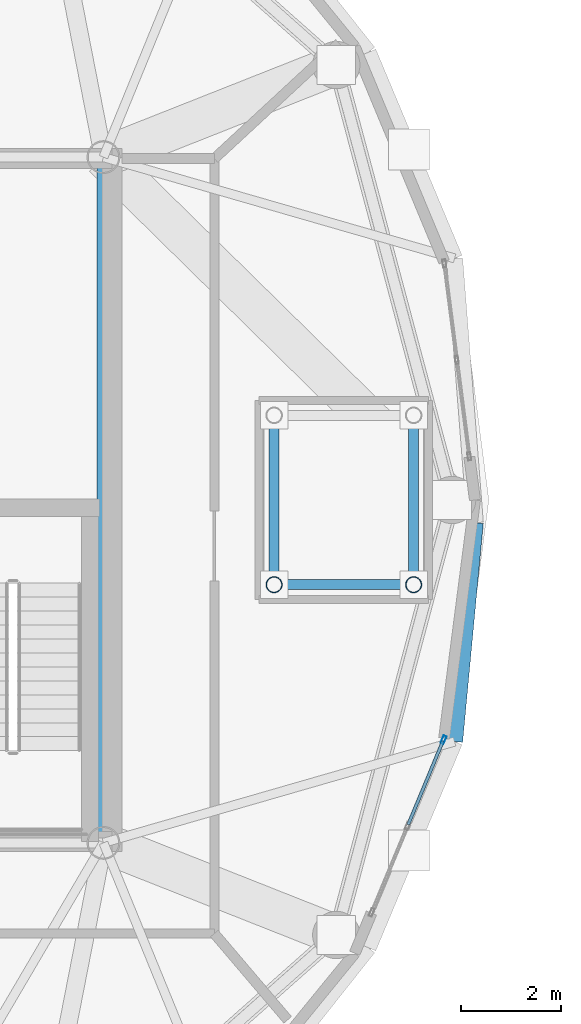
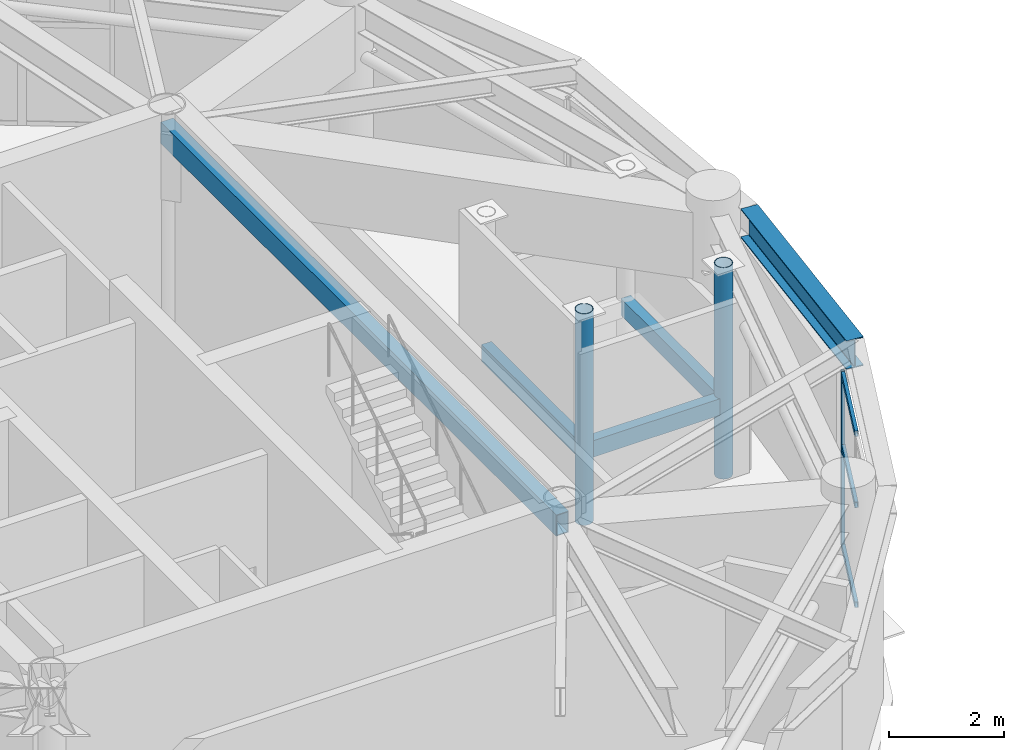
# One storey, part 6 of 28: 6 members, 5 beams, 1 element without a shape of its own.
"""IFC4 building model written with IfcOpenShell, lengths in metres."""

from ifc_helpers import new_model, si_unit, direction, frame, origin, origin_2d, place, context, subcontext, project, spatial, hollow_rectangle, hollow_circle, i_section, extrude, material, layer, layer_set, material_profile, profile_set, type_object, element, aggregate, save


model = new_model("IFC4")

# Units and contexts
model_context = context("Model", 3, precision=1e-05, world=origin(), true_north=direction((0.0, 1.0)))
body_context = subcontext(model_context, "Body", "Model", "MODEL_VIEW")
ifc_project = project(units=[si_unit("LENGTHUNIT", "METRE"), si_unit("AREAUNIT", "SQUARE_METRE"), si_unit("VOLUMEUNIT", "CUBIC_METRE"), si_unit("PLANEANGLEUNIT", "RADIAN"), si_unit("MASSUNIT", "GRAM", prefix="KILO")], contexts=[model_context])

# Site, building, storey
site_placement = place(None, origin())
site = spatial("IfcSite", under=ifc_project, at=site_placement, CompositionType="ELEMENT")
building_placement = place(site_placement, origin())
building = spatial("IfcBuilding", under=site, at=building_placement, Name="Cununo Teusaquillo Station Towers", CompositionType="ELEMENT")
storey_placement = place(building_placement, frame((0.0, 0.0, 235.64990234375)))
storey = spatial("IfcBuildingStorey", under=building, at=storey_placement, Name="L75", CompositionType="ELEMENT", Elevation=235.64990234375)

# Beams
ifc_material_1 = material(Name="Steel EN 10025-2 S355J2", Category="steel")
ifc_material_profile_1 = material_profile(ifc_material_1, hollow_rectangle(XDim=0.25, YDim=0.449951171875, WallThickness=0.01611328125, at=origin_2d()), Name="RHS 450x250x16")
ifc_profile_set_1 = profile_set([ifc_material_profile_1], Name="Steel EN 10025-2 S355J2")
beam_type_1 = type_object("IfcBeamType", Name="BM-COUP-1", PredefinedType="USERDEFINED", material=ifc_profile_set_1)
beam_1_placement = place(storey_placement, frame((21.675048828125, 17.6201171875, 4.114990234375), z_axis=(0.0, 1.0, 0.0), x_axis=(-1.0, 0.0, 0.0)))
element("IfcBeam", 1, at=beam_1_placement, inside=storey, type_object=beam_type_1, Name="L75 Tower A Core Beam 2", ObjectType="COUPLING BEAM", PredefinedType="USERDEFINED", context=body_context, shape_type="SweptSolid", body=[
    extrude(hollow_rectangle(XDim=0.25, YDim=0.449951171875, WallThickness=0.01611328125, at=origin_2d()), origin(), (0.0, 0.0, 1.0), 13.759765625),
])
ifc_material_2 = material(Name="Steel ASTM A572 Grade 50", Category="steel")
ifc_material_profile_2 = material_profile(ifc_material_2, i_section(OverallWidth=0.324951171875, OverallDepth=0.615966796875, WebThickness=0.013916015625, FlangeThickness=0.021484375, FilletRadius=0.01611328125, at=origin_2d()), Name="W24X117")
ifc_profile_set_2 = profile_set([ifc_material_profile_2], Name="Steel ASTM A572 Grade 50")
beam_type_2 = type_object("IfcBeamType", Name="BM-PLNT-G2", PredefinedType="BEAM", material=ifc_profile_set_2)
beam_2_placement = place(storey_placement, frame((28.72119140625, 19.651611328125, 4.031982421875), z_axis=(0.093902932611, 0.995581357422, 0.0), x_axis=(-0.995581357422, 0.093902932611, 0.0)))
element("IfcBeam", 2, at=beam_2_placement, inside=storey, type_object=beam_type_2, Name="L75 Tower A Spandrel Ring Beam 20", PredefinedType="BEAM", context=body_context, shape_type="SweptSolid", body=[
    extrude(i_section(OverallWidth=0.324951171875, OverallDepth=0.615966796875, WebThickness=0.013916015625, FlangeThickness=0.021484375, FilletRadius=0.01611328125, at=origin_2d()), origin(), (0.0, 0.0, 1.0), 4.412109375),
])
ifc_material_3 = material(Name="Steel EN 10025-2 S355J2", Category="steel")
ifc_material_profile_3 = material_profile(ifc_material_3, hollow_rectangle(XDim=0.199951171875, YDim=0.35009765625, WallThickness=0.013916015625, at=origin_2d()), Name="RHS 350x200x14")
ifc_profile_set_3 = profile_set([ifc_material_profile_3], Name="Steel EN 10025-2 S355J2")
beam_type_3 = type_object("IfcBeamType", Name="BM-TMD-FRM", PredefinedType="BEAM", material=ifc_profile_set_3)
beam_3_placement = place(storey_placement, frame((25.10009765625, 22.800048828125, 1.375), z_axis=(1.0, 0.0, 0.0), x_axis=(0.0, 1.0, 0.0)))
element("IfcBeam", 3, at=beam_3_placement, inside=storey, type_object=beam_type_3, Name="L75 Tower A Tuned Mass Damper Suspension Ring Beam 1", PredefinedType="BEAM", context=body_context, shape_type="SweptSolid", body=[
    extrude(hollow_rectangle(XDim=0.199951171875, YDim=0.35009765625, WallThickness=0.013916015625, at=origin_2d()), origin(), (0.0, 0.0, 1.0), 2.7998046875),
])
for number, where, z_axis, x_axis, name in (
    (4, (27.89990234375, 22.800048828125, 1.375), (0.0, 1.0, 0.0), (-1.0, 0.0, 0.0), "L75 Tower A Tuned Mass Damper Suspension Ring Beam 2"),
    (5, (25.10009765625, 26.199951171875, 1.375), (0.0, -1.0, 0.0), (1.0, 0.0, 0.0), "L75 Tower A Tuned Mass Damper Suspension Ring Beam 4"),
):
    element("IfcBeam", number, at=place(storey_placement, frame(where, z_axis=z_axis, x_axis=x_axis)), inside=storey, type_object=beam_type_3, Name=name, PredefinedType="BEAM", context=body_context, shape_type="SweptSolid", body=[
        extrude(hollow_rectangle(XDim=0.199951171875, YDim=0.35009765625, WallThickness=0.013916015625, at=origin_2d()), origin(), (0.0, 0.0, 1.0), 3.39990234375),
    ])

# Curtain wall, members
ifc_material_4 = material(Name="Ceramic-fritted dark low-E double glazing", Category="glass")
ifc_layer = layer(ifc_material_4, 0.179931640625)
ifc_layer_set = layer_set([ifc_layer], Name="Ceramic-fritted dark low-E double glazing")
curtain_wall_type = type_object("IfcCurtainWallType", Name="CW-SYS-08", PredefinedType="USERDEFINED", material=ifc_layer_set)
curtain_wall_placement = place(storey_placement, origin())
curtain_wall = element("IfcCurtainWall", 6, at=curtain_wall_placement, inside=storey, type_object=curtain_wall_type, Name="L75 Tower A Crown Drum Glazed Screen C18", ObjectType="FRITTED GLAZING", PredefinedType="USERDEFINED")
ifc_material_5 = material(Name="Anodised dark bronze aluminium EN AW-6063-T6", Category="aluminium")
ifc_material_profile_4 = material_profile(ifc_material_5, hollow_rectangle(XDim=0.06494140625, YDim=0.159912109375, WallThickness=0.00390625, at=origin_2d()), Name="CW-MULL-65x160")
ifc_profile_set_4 = profile_set([ifc_material_profile_4], Name="Anodised dark bronze aluminium EN AW-6063-T6")
member_type_1 = type_object("IfcMemberType", Name="CWM-160", PredefinedType="MULLION", material=ifc_profile_set_4)
member_1_placement = place(storey_placement, frame((28.499267578125, 19.689453125, 0.0), z_axis=(0.0, 0.0, 1.0), x_axis=(0.923306740191, -0.384063358729, 0.0)))
member_1 = element("IfcMember", 7, at=member_1_placement, type_object=member_type_1, Name="CW-08 mullion 1", PredefinedType="MULLION", context=body_context, shape_type="SweptSolid", body=[
    extrude(hollow_rectangle(XDim=0.06494140625, YDim=0.159912109375, WallThickness=0.00390625, at=origin_2d()), origin(), (0.0, 0.0, 1.0), 3.696044921875),
])
ifc_material_6 = material(Name="Anodised dark bronze aluminium EN AW-6063-T6", Category="aluminium")
ifc_material_profile_5 = material_profile(ifc_material_6, hollow_rectangle(XDim=0.06494140625, YDim=0.1201171875, WallThickness=0.00390625, at=origin_2d()), Name="CW-TRAN-65x120")
ifc_profile_set_5 = profile_set([ifc_material_profile_5], Name="Anodised dark bronze aluminium EN AW-6063-T6")
member_type_2 = type_object("IfcMemberType", Name="CWT-120", PredefinedType="USERDEFINED", material=ifc_profile_set_5)
member_2_placement = place(storey_placement, frame((28.48681640625, 19.659423828125, 0.03271484375), z_axis=(-0.384079825978, -0.923299890218, 0.0), x_axis=(0.923299890218, -0.384079825978, 0.0)))
member_2 = element("IfcMember", 8, at=member_2_placement, type_object=member_type_2, Name="CW-08 transom 1.1", ObjectType="TRANSOM", PredefinedType="USERDEFINED", context=body_context, shape_type="SweptSolid", body=[
    extrude(hollow_rectangle(XDim=0.06494140625, YDim=0.1201171875, WallThickness=0.00390625, at=origin_2d()), origin(), (0.0, 0.0, 1.0), 1.81298828125),
])
member_3_placement = place(storey_placement, frame((28.48681640625, 19.659423828125, 2.150146484375), z_axis=(-0.384079825978, -0.923299890218, 0.0), x_axis=(0.923299890218, -0.384079825978, 0.0)))
member_3 = element("IfcMember", 9, at=member_3_placement, type_object=member_type_2, Name="CW-08 transom 1.2", ObjectType="TRANSOM", PredefinedType="USERDEFINED", context=body_context, shape_type="SweptSolid", body=[
    extrude(hollow_rectangle(XDim=0.06494140625, YDim=0.1201171875, WallThickness=0.00390625, at=origin_2d()), origin(), (0.0, 0.0, 1.0), 1.81298828125),
])
member_4_placement = place(storey_placement, frame((28.48681640625, 19.659423828125, 3.66357421875), z_axis=(-0.384079825978, -0.923299890218, 0.0), x_axis=(0.923299890218, -0.384079825978, 0.0)))
member_4 = element("IfcMember", 10, at=member_4_placement, type_object=member_type_2, Name="CW-08 transom 1.3", ObjectType="TRANSOM", PredefinedType="USERDEFINED", context=body_context, shape_type="SweptSolid", body=[
    extrude(hollow_rectangle(XDim=0.06494140625, YDim=0.1201171875, WallThickness=0.00390625, at=origin_2d()), origin(), (0.0, 0.0, 1.0), 1.81298828125),
])
aggregate(curtain_wall, [member_1, member_2, member_3, member_4])

# Members
ifc_material_7 = material(Name="Steel EN 10025-2 S355J2", Category="steel")
ifc_material_profile_6 = material_profile(ifc_material_7, hollow_circle(Radius=0.162109375, WallThickness=0.011962890625, at=origin_2d()), Name="CHS 324x12")
ifc_profile_set_6 = profile_set([ifc_material_profile_6], Name="Steel EN 10025-2 S355J2")
member_type_3 = type_object("IfcMemberType", Name="MBR-TMD-POST", PredefinedType="POST", material=ifc_profile_set_6)
for number, where, z_axis, x_axis, name in (
    (11, (25.10009765625, 22.800048828125, -0.14990234375), (0.0, 0.0, 1.0), (1.0, 0.0, 0.0), "L75 Tower A Tuned Mass Damper Frame Post 1"),
    (12, (27.89990234375, 22.800048828125, -0.14990234375), (0.0, 0.0, 1.0), (1.0, 0.0, 0.0), "L75 Tower A Tuned Mass Damper Frame Post 2"),
):
    element("IfcMember", number, at=place(storey_placement, frame(where, z_axis=z_axis, x_axis=x_axis)), inside=storey, type_object=member_type_3, Name=name, PredefinedType="POST", context=body_context, shape_type="SweptSolid", body=[
        extrude(hollow_circle(Radius=0.162109375, WallThickness=0.011962890625, at=origin_2d()), origin(), (0.0, 0.0, 1.0), 4.489990234375),
    ])

save(model, "model.ifc")
